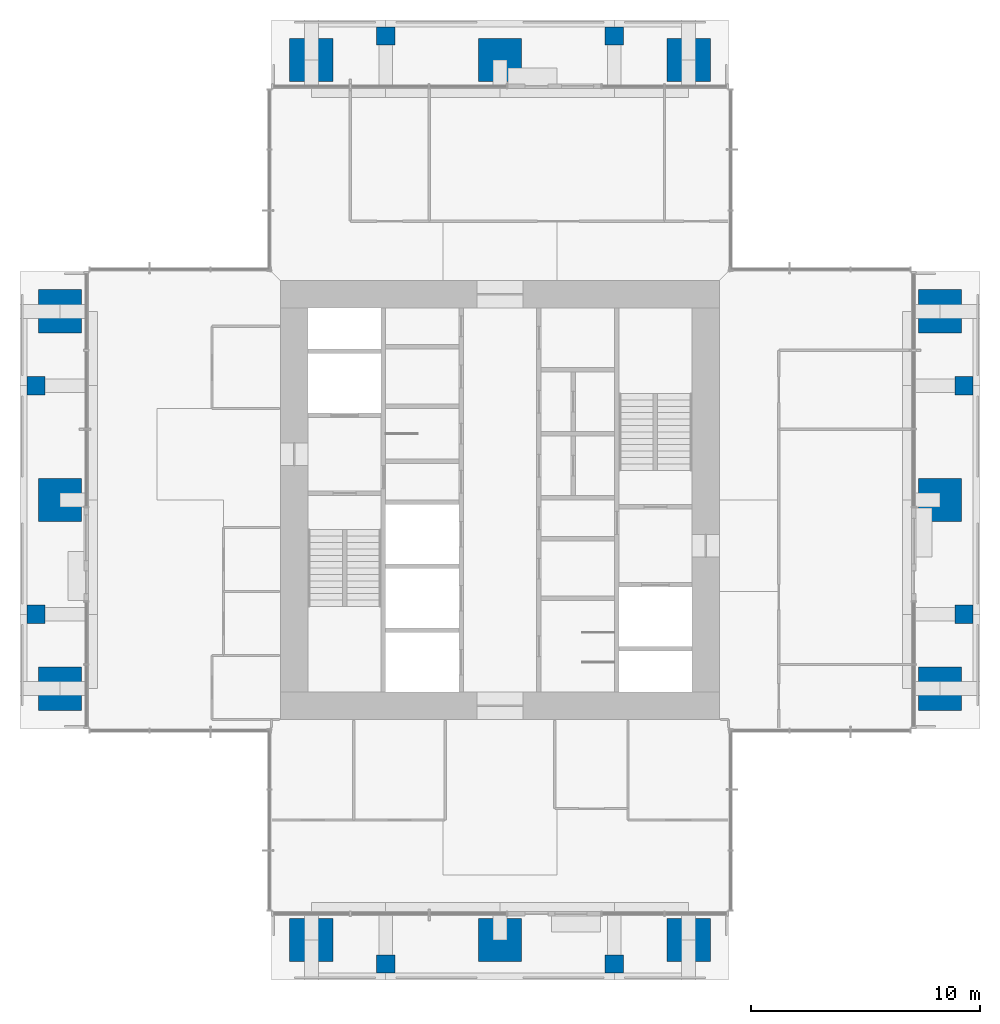
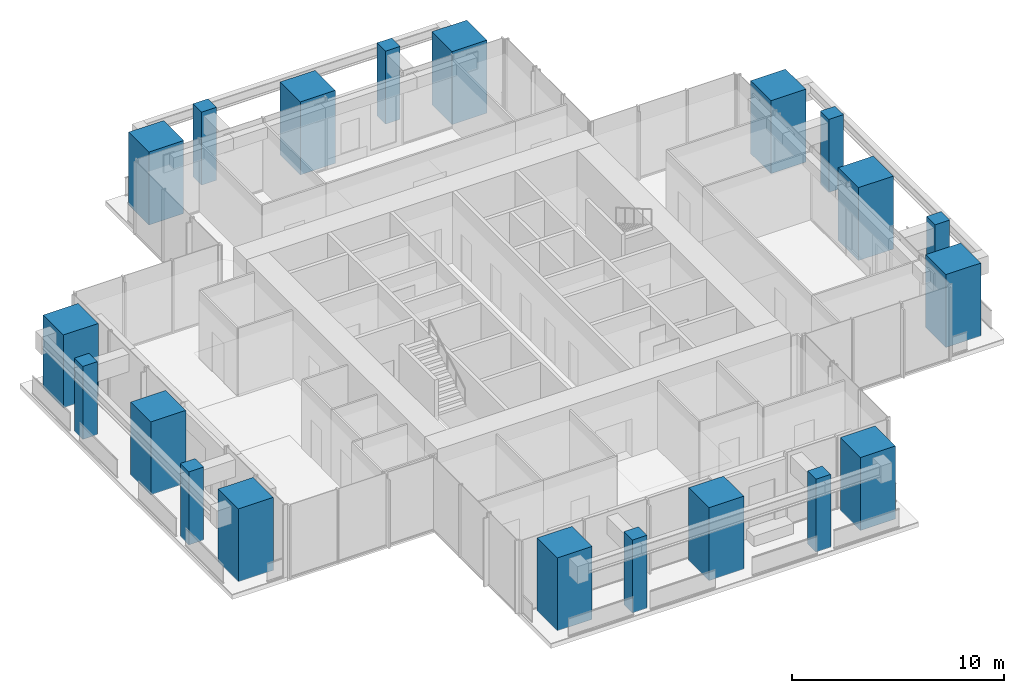
# One storey, part 1 of 12: 20 columns.
"""IFC4 building model written with IfcOpenShell, lengths in metres."""

from ifc_helpers import new_model, si_unit, direction, frame, origin, origin_2d, place, context, subcontext, project, spatial, rectangle, extrude, material, material_profile, profile_set, type_object, element, save


model = new_model("IFC4")

# Units and contexts
model_context = context("Model", 3, precision=1e-05, world=origin(), true_north=direction((0.0, 1.0)))
body_context = subcontext(model_context, "Body", "Model", "MODEL_VIEW")
ifc_project = project(units=[si_unit("LENGTHUNIT", "METRE"), si_unit("AREAUNIT", "SQUARE_METRE"), si_unit("VOLUMEUNIT", "CUBIC_METRE"), si_unit("PLANEANGLEUNIT", "RADIAN"), si_unit("MASSUNIT", "GRAM", prefix="KILO")], contexts=[model_context])

# Site, building, storey
site_placement = place(None, origin())
site = spatial("IfcSite", under=ifc_project, at=site_placement, CompositionType="ELEMENT")
building_placement = place(site_placement, origin())
building = spatial("IfcBuilding", under=site, at=building_placement, Name="Svetlomir Tower", CompositionType="ELEMENT")
storey_placement = place(building_placement, frame((0.0, 0.0, 252.39990234375)))
storey = spatial("IfcBuildingStorey", under=building, at=storey_placement, Name="L60", CompositionType="ELEMENT", Elevation=252.39990234375)

# Columns
ifc_material_1 = material(Name="Concrete C60/75", Category="concrete")
ifc_material_profile_1 = material_profile(ifc_material_1, rectangle(XDim=1.89990234375, YDim=1.89990234375, at=origin_2d()), Name="RC 1900x1900")
ifc_profile_set_1 = profile_set([ifc_material_profile_1], Name="Concrete C60/75")
column_type_1 = type_object("IfcColumnType", Name="COLUMN RC 1900x1900", PredefinedType="COLUMN", material=ifc_profile_set_1)
for number, where, z_axis, x_axis, name in (
    (1, (12.75, 1.75, 0.0), (0.0, 0.0, 1.0), (1.0, 0.0, 0.0), "Column 11/0 L60"),
    (2, (21.0, 1.75, 0.0), (0.0, 0.0, 1.0), (1.0, 0.0, 0.0), "Column 21/0 L60"),
    (3, (29.25, 1.75, 0.0), (0.0, 0.0, 1.0), (1.0, 0.0, 0.0), "Column 31/0 L60"),
    (4, (1.75, 12.75, 0.0), (0.0, 0.0, 1.0), (1.0, 0.0, 0.0), "Column 0/11 L60"),
    (5, (40.25, 12.75, 0.0), (0.0, 0.0, 1.0), (1.0, 0.0, 0.0), "Column 42/11 L60"),
    (6, (1.75, 21.0, 0.0), (0.0, 0.0, 1.0), (1.0, 0.0, 0.0), "Column 0/21 L60"),
    (7, (40.25, 21.0, 0.0), (0.0, 0.0, 1.0), (1.0, 0.0, 0.0), "Column 42/21 L60"),
    (8, (1.75, 29.25, 0.0), (0.0, 0.0, 1.0), (1.0, 0.0, 0.0), "Column 0/31 L60"),
    (9, (40.25, 29.25, 0.0), (0.0, 0.0, 1.0), (1.0, 0.0, 0.0), "Column 42/31 L60"),
    (10, (12.75, 40.25, 0.0), (0.0, 0.0, 1.0), (1.0, 0.0, 0.0), "Column 11/42 L60"),
    (11, (21.0, 40.25, 0.0), (0.0, 0.0, 1.0), (1.0, 0.0, 0.0), "Column 21/42 L60"),
    (12, (29.25, 40.25, 0.0), (0.0, 0.0, 1.0), (1.0, 0.0, 0.0), "Column 31/42 L60"),
):
    element("IfcColumn", number, at=place(storey_placement, frame(where, z_axis=z_axis, x_axis=x_axis)), inside=storey, type_object=column_type_1, Name=name, PredefinedType="COLUMN", context=body_context, shape_type="SweptSolid", body=[
        extrude(rectangle(XDim=1.89990234375, YDim=1.89990234375, at=origin_2d()), origin(), (0.0, 0.0, 1.0), 4.2001953125),
    ])
ifc_material_2 = material(Name="Concrete C60/75", Category="concrete")
ifc_material_profile_2 = material_profile(ifc_material_2, rectangle(XDim=0.800048828125, YDim=0.800048828125, at=origin_2d()), Name="RC 800x800")
ifc_profile_set_2 = profile_set([ifc_material_profile_2], Name="Concrete C60/75")
column_type_2 = type_object("IfcColumnType", Name="COLUMN RC 800x800", PredefinedType="COLUMN", material=ifc_profile_set_2)
for number, where, z_axis, x_axis, name in (
    (13, (16.0, 0.699951171875, 0.0), (0.0, 0.0, 1.0), (1.0, 0.0, 0.0), "Column 16/0 L60"),
    (14, (26.0, 0.699951171875, 0.0), (0.0, 0.0, 1.0), (1.0, 0.0, 0.0), "Column 26/0 L60"),
    (15, (0.699951171875, 16.0, 0.0), (0.0, 0.0, 1.0), (1.0, 0.0, 0.0), "Column 0/16 L60"),
    (16, (41.300048828125, 16.0, 0.0), (0.0, 0.0, 1.0), (1.0, 0.0, 0.0), "Column 42/16 L60"),
    (17, (0.699951171875, 26.0, 0.0), (0.0, 0.0, 1.0), (1.0, 0.0, 0.0), "Column 0/26 L60"),
    (18, (41.300048828125, 26.0, 0.0), (0.0, 0.0, 1.0), (1.0, 0.0, 0.0), "Column 42/26 L60"),
    (19, (16.0, 41.300048828125, 0.0), (0.0, 0.0, 1.0), (1.0, 0.0, 0.0), "Column 16/42 L60"),
    (20, (26.0, 41.300048828125, 0.0), (0.0, 0.0, 1.0), (1.0, 0.0, 0.0), "Column 26/42 L60"),
):
    element("IfcColumn", number, at=place(storey_placement, frame(where, z_axis=z_axis, x_axis=x_axis)), inside=storey, type_object=column_type_2, Name=name, PredefinedType="COLUMN", context=body_context, shape_type="SweptSolid", body=[
        extrude(rectangle(XDim=0.800048828125, YDim=0.800048828125, at=origin_2d()), origin(), (0.0, 0.0, 1.0), 4.2001953125),
    ])

save(model, "model.ifc")
